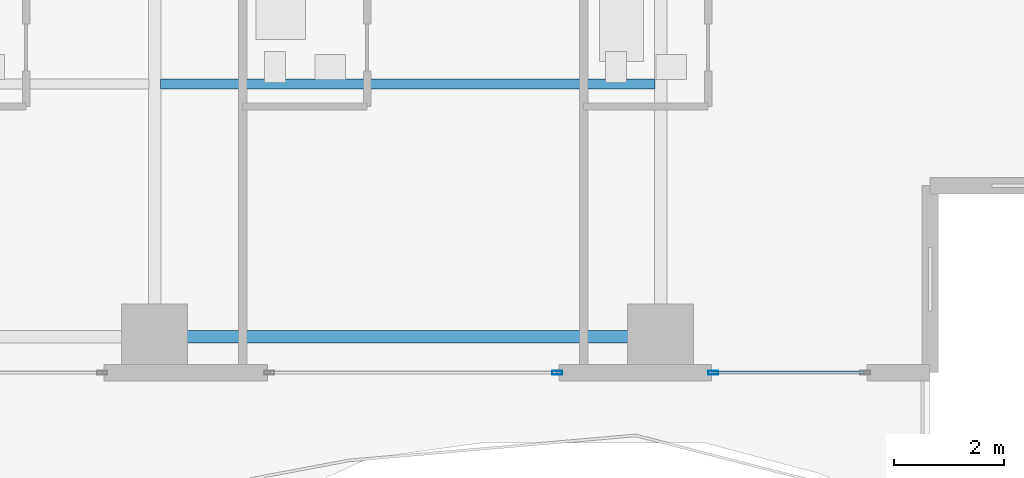
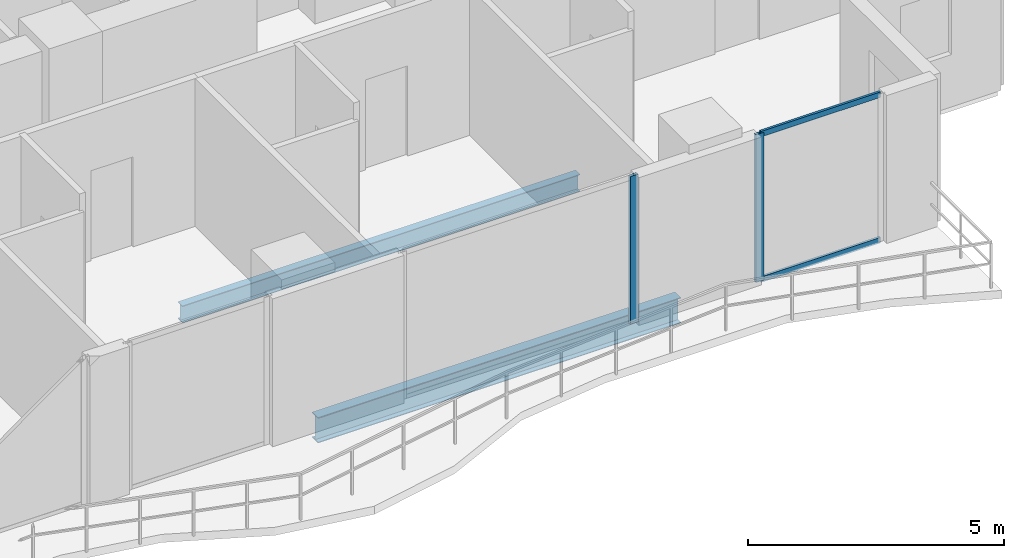
# One storey, part 9 of 32: 4 members, 2 beams, 2 elements without a shape of their own.
"""IFC4 building model written with IfcOpenShell, lengths in metres."""

from ifc_helpers import new_model, si_unit, direction, frame, origin, origin_2d, place, context, subcontext, project, spatial, hollow_rectangle, i_section, extrude, material, layer, layer_set, material_profile, profile_set, type_object, element, aggregate, save


model = new_model("IFC4")

# Units and contexts
model_context = context("Model", 3, precision=1e-05, world=origin(), true_north=direction((0.0, 1.0)))
body_context = subcontext(model_context, "Body", "Model", "MODEL_VIEW")
ifc_project = project(units=[si_unit("LENGTHUNIT", "METRE"), si_unit("AREAUNIT", "SQUARE_METRE"), si_unit("VOLUMEUNIT", "CUBIC_METRE"), si_unit("PLANEANGLEUNIT", "RADIAN"), si_unit("MASSUNIT", "GRAM", prefix="KILO")], contexts=[model_context])

# Site, building, storey
site_placement = place(None, origin())
site = spatial("IfcSite", under=ifc_project, at=site_placement, CompositionType="ELEMENT")
building_placement = place(site_placement, origin())
building = spatial("IfcBuilding", under=site, at=building_placement, Name="Zuhayl Quay Hotel", CompositionType="ELEMENT")
storey_placement = place(building_placement, frame((0.0, 0.0, 192.39990234375)))
storey = spatial("IfcBuildingStorey", under=building, at=storey_placement, Name="L48", CompositionType="ELEMENT", Elevation=192.39990234375)

# Beams
ifc_material_1 = material(Name="Steel ASTM A992 Grade 50", Category="steel")
ifc_material_profile_1 = material_profile(ifc_material_1, i_section(OverallWidth=0.22802734375, OverallDepth=0.60693359375, WebThickness=0.01123046875, FlangeThickness=0.017333984375, at=origin_2d()), Name="W24X76")
ifc_profile_set_1 = profile_set([ifc_material_profile_1], Name="Steel ASTM A992 Grade 50")
beam_type_1 = type_object("IfcBeamType", Name="BM_B3_W24X76", PredefinedType="BEAM", material=ifc_profile_set_1)
beam_1_placement = place(storey_placement, frame((5.10009765625, -6.949951171875, -0.5234375), z_axis=(1.0, 0.0, 0.0), x_axis=(0.0, 1.0, 0.0)))
element("IfcBeam", 1, at=beam_1_placement, inside=storey, type_object=beam_type_1, Name="L48 Floor Beam RG_L48_03", PredefinedType="BEAM", context=body_context, shape_type="SweptSolid", body=[
    extrude(i_section(OverallWidth=0.22802734375, OverallDepth=0.60693359375, WebThickness=0.01123046875, FlangeThickness=0.017333984375, at=origin_2d()), origin(), (0.0, 0.0, 1.0), 8.199951171875),
])
ifc_material_profile_2 = material_profile(ifc_material_1, i_section(OverallWidth=0.177978515625, OverallDepth=0.406005859375, WebThickness=0.0078125, FlangeThickness=0.0126953125, at=origin_2d()), Name="W16X40")
ifc_profile_set_2 = profile_set([ifc_material_profile_2], Name="Steel ASTM A992 Grade 50")
beam_type_2 = type_object("IfcBeamType", Name="BM_J2B_W16X40", PredefinedType="JOIST", material=ifc_profile_set_2)
beam_2_placement = place(storey_placement, frame((4.7060546875, -2.35009765625, -0.4228515625), z_axis=(1.0, 0.0, 0.0), x_axis=(0.0, 1.0, 0.0)))
element("IfcBeam", 2, at=beam_2_placement, inside=storey, type_object=beam_type_2, Name="L48 Floor Beam FJ_L48_7_3", PredefinedType="JOIST", context=body_context, shape_type="SweptSolid", body=[
    extrude(i_section(OverallWidth=0.177978515625, OverallDepth=0.406005859375, WebThickness=0.0078125, FlangeThickness=0.0126953125, at=origin_2d()), origin(), (0.0, 0.0, 1.0), 8.988037109375),
])

# Curtain wall, member
ifc_material_2 = material(Name="Anodised Aluminium 6063-T6", Category="aluminium")
ifc_layer = layer(ifc_material_2, 0.175048828125, Name="Anodised Aluminium 6063-T6", Category="aluminium")
ifc_layer_set = layer_set([ifc_layer], Name="Anodised Aluminium 6063-T6")
curtain_wall_type = type_object("IfcCurtainWallType", Name="CW_SYS_Z3", PredefinedType="USERDEFINED", material=ifc_layer_set)
curtain_wall_1_placement = place(storey_placement, origin())
curtain_wall_1 = element("IfcCurtainWall", 3, at=curtain_wall_1_placement, inside=storey, type_object=curtain_wall_type, Name="L48 Curtain Wall ENV_L48_S_CW1", ObjectType="UNITISED CURTAIN WALL", PredefinedType="USERDEFINED")
ifc_material_3 = material(Name="Black-anodised aluminium 6063-T6", Category="aluminium")
ifc_material_profile_3 = material_profile(ifc_material_3, hollow_rectangle(XDim=0.06494140625, YDim=0.179931640625, WallThickness=0.00341796875, at=origin_2d()), Name="ALU180X65")
ifc_profile_set_3 = profile_set([ifc_material_profile_3], Name="Black-anodised aluminium 6063-T6")
member_type_1 = type_object("IfcMemberType", Name="MB_CW_MUL_180", PredefinedType="MULLION", material=ifc_profile_set_3)
member_1_placement = place(storey_placement, frame((14.75244140625, -7.60009765625, 0.0), z_axis=(0.0, 0.0, 1.0), x_axis=(0.0, -1.0, 0.0)))
member_1 = element("IfcMember", 4, at=member_1_placement, type_object=member_type_1, Name="CW-Z3 mullion 2", PredefinedType="MULLION", context=body_context, shape_type="SweptSolid", body=[
    extrude(hollow_rectangle(XDim=0.06494140625, YDim=0.179931640625, WallThickness=0.00341796875, at=origin_2d()), origin(), (0.0, 0.0, 1.0), 3.530029296875),
])

curtain_wall_2_placement = place(storey_placement, origin())
curtain_wall_2 = element("IfcCurtainWall", 5, at=curtain_wall_2_placement, inside=storey, type_object=curtain_wall_type, Name="L48 Curtain Wall ENV_L48_S_CW2", ObjectType="UNITISED CURTAIN WALL", PredefinedType="USERDEFINED")
member_2_placement = place(storey_placement, frame((11.91748046875, -7.60009765625, 0.0), z_axis=(0.0, 0.0, 1.0), x_axis=(0.0, -1.0, 0.0)))
member_2 = element("IfcMember", 6, at=member_2_placement, type_object=member_type_1, Name="CW-Z3 mullion 1", PredefinedType="MULLION", context=body_context, shape_type="SweptSolid", body=[
    extrude(hollow_rectangle(XDim=0.06494140625, YDim=0.179931640625, WallThickness=0.00341796875, at=origin_2d()), origin(), (0.0, 0.0, 1.0), 3.530029296875),
])
aggregate(curtain_wall_2, [member_2])

# Member
ifc_material_profile_4 = material_profile(ifc_material_3, hollow_rectangle(XDim=0.054931640625, YDim=0.1298828125, WallThickness=0.0029296875, at=origin_2d()), Name="ALU130X55")
ifc_profile_set_4 = profile_set([ifc_material_profile_4], Name="Black-anodised aluminium 6063-T6")
member_type_2 = type_object("IfcMemberType", Name="MB_CW_TRN_130", PredefinedType="USERDEFINED", material=ifc_profile_set_4)
member_3_placement = place(storey_placement, frame((17.485107421875, -7.60009765625, 0.027587890625), z_axis=(-1.0, 0.0, 0.0), x_axis=(0.0, -1.0, 0.0)))
member_3 = element("IfcMember", 7, at=member_3_placement, type_object=member_type_2, Name="CW-Z3 transom 1.1", ObjectType="TRANSOM", PredefinedType="USERDEFINED", context=body_context, shape_type="SweptSolid", body=[
    extrude(hollow_rectangle(XDim=0.054931640625, YDim=0.1298828125, WallThickness=0.0029296875, at=origin_2d()), origin(), (0.0, 0.0, 1.0), 2.7001953125),
])

member_4_placement = place(storey_placement, frame((17.485107421875, -7.60009765625, 3.502685546875), z_axis=(-1.0, 0.0, 0.0), x_axis=(0.0, -1.0, 0.0)))
member_4 = element("IfcMember", 8, at=member_4_placement, type_object=member_type_2, Name="CW-Z3 transom 1.2", ObjectType="TRANSOM", PredefinedType="USERDEFINED", context=body_context, shape_type="SweptSolid", body=[
    extrude(hollow_rectangle(XDim=0.054931640625, YDim=0.1298828125, WallThickness=0.0029296875, at=origin_2d()), origin(), (0.0, 0.0, 1.0), 2.7001953125),
])

aggregate(curtain_wall_1, [member_1, member_3, member_4])

save(model, "model.ifc")
